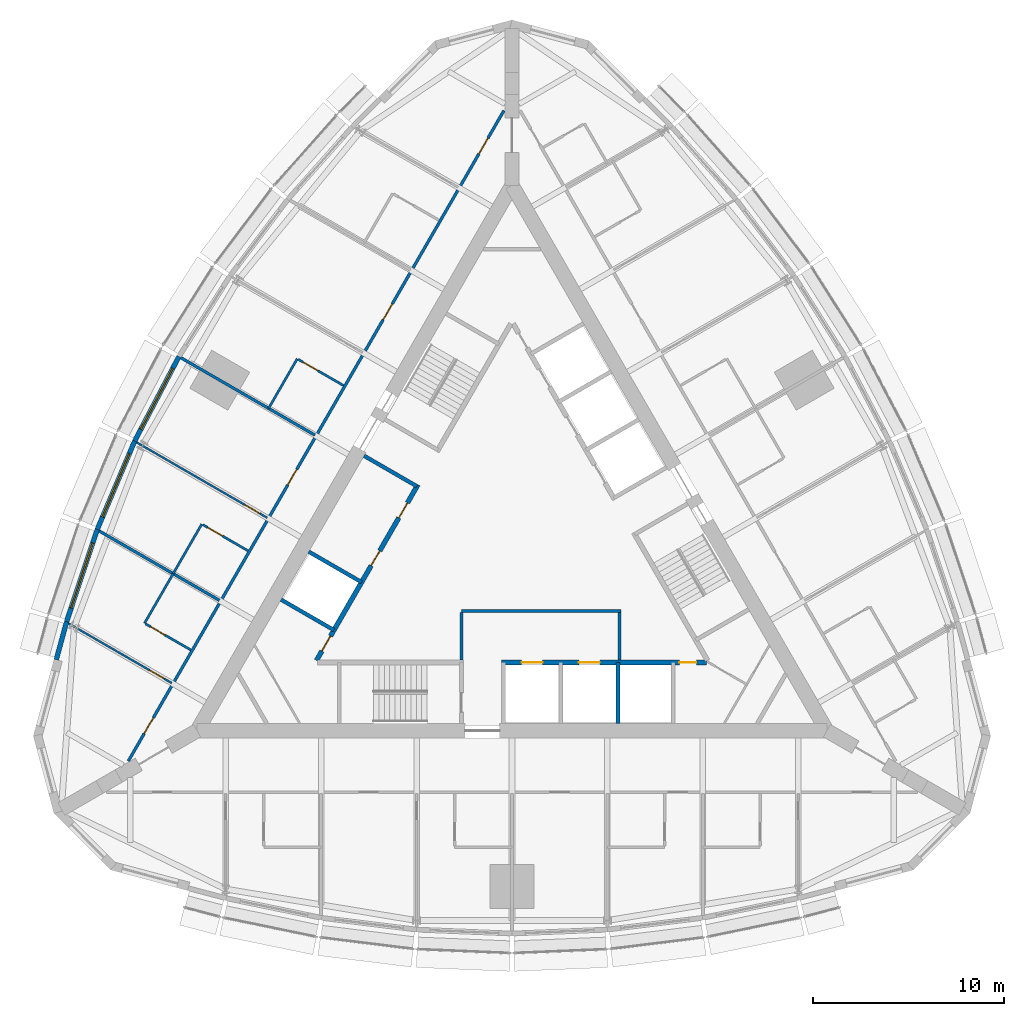
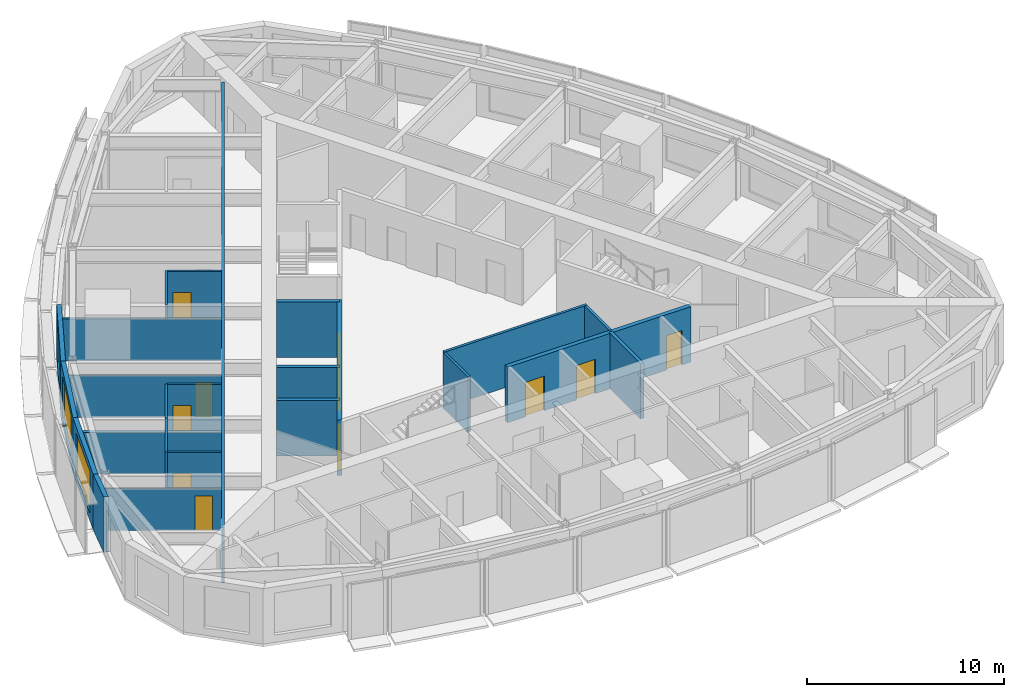
# One storey, part 10 of 15: 24 walls, 15 doors, 3 windows, 18 openings.
"""IFC4 building model written with IfcOpenShell, lengths in metres."""

from ifc_helpers import new_model, si_unit, direction, frame, frame_2d, origin, place, context, subcontext, project, spatial, rectangle, extrude, material, layer, layer_set, type_object, element, fill, save


model = new_model("IFC4")

# Units and contexts
model_context = context("Model", 3, precision=1e-05, world=origin(), true_north=direction((0.0, 1.0)))
body_context = subcontext(model_context, "Body", "Model", "MODEL_VIEW")
ifc_project = project(units=[si_unit("LENGTHUNIT", "METRE"), si_unit("AREAUNIT", "SQUARE_METRE"), si_unit("VOLUMEUNIT", "CUBIC_METRE"), si_unit("PLANEANGLEUNIT", "RADIAN"), si_unit("MASSUNIT", "GRAM", prefix="KILO")], contexts=[model_context])

# Site, building, storey
site_placement = place(None, origin())
site = spatial("IfcSite", under=ifc_project, at=site_placement, CompositionType="ELEMENT")
building_placement = place(site_placement, origin())
building = spatial("IfcBuilding", under=site, at=building_placement, Name="Trikona Tower", CompositionType="ELEMENT")
storey_placement = place(building_placement, frame((0.0, 0.0, 226.10009765625)))
storey = spatial("IfcBuildingStorey", under=building, at=storey_placement, Name="L60", CompositionType="ELEMENT", Elevation=226.10009765625)

# Wall
ifc_material_1 = material(Name="Metal stud and cement board", Category="gypsum")
ifc_layer_1 = layer(ifc_material_1, 0.1201171875)
ifc_layer_set_1 = layer_set([ifc_layer_1], Name="Bathroom wall 120")
wall_type_1 = type_object("IfcWallType", Name="Bathroom wall 120", PredefinedType="PLUMBINGWALL", material=ifc_layer_set_1)
wall_1_placement = place(storey_placement, frame((-11.25341796875, 9.961181640625, 0.0), z_axis=(0.0, 0.0, 1.0), x_axis=(-0.499990139034, -0.866031096941, 0.0)))
element("IfcWall", 1, at=wall_1_placement, inside=storey, type_object=wall_type_1, Name="Bathroom wall 6010.1", PredefinedType="PLUMBINGWALL", context=body_context, shape_type="SweptSolid", body=[
    extrude(rectangle(XDim=3.0, YDim=0.1201171875, at=frame_2d((1.5, 0.0))), origin(), (0.0, 0.0, 1.0), 3.434814453125),
])

# Wall, opening, door
wall_2_placement = place(storey_placement, frame((-8.82861328125, 8.561279296875, 0.0), z_axis=(0.0, 0.0, 1.0), x_axis=(-0.866035715982, 0.499982138324, 0.0)))
wall_2 = element("IfcWall", 2, at=wall_2_placement, inside=storey, type_object=wall_type_1, Name="Bathroom wall 6010.1", PredefinedType="PLUMBINGWALL", context=body_context, shape_type="SweptSolid", body=[
    extrude(rectangle(XDim=2.73974609375, YDim=0.1201171875, at=frame_2d((1.369873046875, 0.0))), origin(), (0.0, 0.0, 1.0), 3.434814453125),
])
opening_1_placement = place(wall_2_placement, frame((1.550048828125, 0.0, 0.0)))
opening_1 = element("IfcOpeningElement", 3, at=opening_1_placement, cuts=wall_2, Name="Opening D2", PredefinedType="OPENING", context=body_context, shape_type="SweptSolid", body=[
    extrude(rectangle(XDim=0.89990234375, YDim=2.1298828125, at=frame_2d((0.449951171875, 1.06494140625))), frame((0.0, 0.070068359375, 0.0), z_axis=(0.0, -1.0, 0.0), x_axis=(1.0, 0.0, 0.0)), (0.0, 0.0, 1.0), 0.14013671875),
])
ifc_material_2 = material(Name="Steel door frame with solid-core timber leaf", Category="steel")
door_type_1 = type_object("IfcDoorType", Name="Bathroom door 900x2130", OperationType="SLIDING_TO_LEFT", PredefinedType="DOOR", material=ifc_material_2)
door_1_placement = place(opening_1_placement, origin())
door_1 = element("IfcDoor", 4, at=door_1_placement, inside=storey, type_object=door_type_1, Name="Bathroom door 6010.1", OperationType="SLIDING_TO_LEFT", OverallHeight=2.1298828125, OverallWidth=0.89990234375, PredefinedType="DOOR", context=body_context, shape_type="SweptSolid", body=[
    extrude(rectangle(XDim=0.89990234375, YDim=2.1298828125, at=frame_2d((0.449951171875, 1.06494140625))), frame((0.0, 0.02490234375, 0.0), z_axis=(0.0, -1.0, 0.0), x_axis=(1.0, 0.0, 0.0)), (0.0, 0.0, 1.0), 0.050048828125),
])
fill(opening_1, door_1)

# Wall
wall_3_placement = place(storey_placement, frame((-16.25341796875, 1.301025390625, 0.0), z_axis=(0.0, 0.0, 1.0), x_axis=(-0.499990139034, -0.866031096941, 0.0)))
element("IfcWall", 5, at=wall_3_placement, inside=storey, type_object=wall_type_1, Name="Bathroom wall 6011.1", PredefinedType="PLUMBINGWALL", context=body_context, shape_type="SweptSolid", body=[
    extrude(rectangle(XDim=3.0, YDim=0.1201171875, at=frame_2d((1.5, 0.0))), origin(), (0.0, 0.0, 1.0), 3.434814453125),
])

# Wall, opening, door
wall_4_placement = place(storey_placement, frame((-13.82861328125, -0.09912109375, 0.0), z_axis=(0.0, 0.0, 1.0), x_axis=(-0.865997131366, 0.500048966069, 0.0)))
wall_4 = element("IfcWall", 6, at=wall_4_placement, inside=storey, type_object=wall_type_1, Name="Bathroom wall 6011.1", PredefinedType="PLUMBINGWALL", context=body_context, shape_type="SweptSolid", body=[
    extrude(rectangle(XDim=2.739990234375, YDim=0.1201171875, at=frame_2d((1.3701171875, 0.0))), origin(), (0.0, 0.0, 1.0), 3.434814453125),
])
opening_2_placement = place(wall_4_placement, frame((1.550048828125, 0.0, 0.0)))
opening_2 = element("IfcOpeningElement", 7, at=opening_2_placement, cuts=wall_4, Name="Opening D2", PredefinedType="OPENING", context=body_context, shape_type="SweptSolid", body=[
    extrude(rectangle(XDim=0.89990234375, YDim=2.1298828125, at=frame_2d((0.449951171875, 1.06494140625))), frame((0.0, 0.070068359375, 0.0), z_axis=(0.0, -1.0, 0.0), x_axis=(1.0, 0.0, 0.0)), (0.0, 0.0, 1.0), 0.14013671875),
])
door_2_placement = place(opening_2_placement, origin())
door_2 = element("IfcDoor", 8, at=door_2_placement, inside=storey, type_object=door_type_1, Name="Bathroom door 6011.1", OperationType="SLIDING_TO_LEFT", OverallHeight=2.1298828125, OverallWidth=0.89990234375, PredefinedType="DOOR", context=body_context, shape_type="SweptSolid", body=[
    extrude(rectangle(XDim=0.89990234375, YDim=2.1298828125, at=frame_2d((0.449951171875, 1.06494140625))), frame((0.0, 0.02490234375, 0.0), z_axis=(0.0, -1.0, 0.0), x_axis=(1.0, 0.0, 0.0)), (0.0, 0.0, 1.0), 0.050048828125),
])
fill(opening_2, door_2)

# Wall
wall_5_placement = place(storey_placement, frame((-17.75341796875, -1.297119140625, 0.0), z_axis=(0.0, 0.0, 1.0), x_axis=(-0.499990139034, -0.866031096941, 0.0)))
element("IfcWall", 9, at=wall_5_placement, inside=storey, type_object=wall_type_1, Name="Bathroom wall 6012.1", PredefinedType="PLUMBINGWALL", context=body_context, shape_type="SweptSolid", body=[
    extrude(rectangle(XDim=3.0, YDim=0.1201171875, at=frame_2d((1.5, 0.0))), origin(), (0.0, 0.0, 1.0), 3.434814453125),
])

# Wall, opening, door
wall_6_placement = place(storey_placement, frame((-16.82861328125, -5.295166015625, 0.0), z_axis=(0.0, 0.0, 1.0), x_axis=(-0.866035715982, 0.499982138324, 0.0)))
wall_6 = element("IfcWall", 10, at=wall_6_placement, inside=storey, type_object=wall_type_1, Name="Bathroom wall 6012.1", PredefinedType="PLUMBINGWALL", context=body_context, shape_type="SweptSolid", body=[
    extrude(rectangle(XDim=2.73974609375, YDim=0.1201171875, at=frame_2d((1.369873046875, 0.0))), origin(), (0.0, 0.0, 1.0), 3.434814453125),
])
opening_3_placement = place(wall_6_placement, frame((1.550048828125, 0.0, 0.0)))
opening_3 = element("IfcOpeningElement", 11, at=opening_3_placement, cuts=wall_6, Name="Opening D2", PredefinedType="OPENING", context=body_context, shape_type="SweptSolid", body=[
    extrude(rectangle(XDim=0.89990234375, YDim=2.1298828125, at=frame_2d((0.449951171875, 1.06494140625))), frame((0.0, 0.070068359375, 0.0), z_axis=(0.0, -1.0, 0.0), x_axis=(1.0, 0.0, 0.0)), (0.0, 0.0, 1.0), 0.14013671875),
])
door_3_placement = place(opening_3_placement, origin())
door_3 = element("IfcDoor", 12, at=door_3_placement, inside=storey, type_object=door_type_1, Name="Bathroom door 6012.1", OperationType="SLIDING_TO_LEFT", OverallHeight=2.1298828125, OverallWidth=0.89990234375, PredefinedType="DOOR", context=body_context, shape_type="SweptSolid", body=[
    extrude(rectangle(XDim=0.89990234375, YDim=2.1298828125, at=frame_2d((0.449951171875, 1.06494140625))), frame((0.0, 0.02490234375, 0.0), z_axis=(0.0, -1.0, 0.0), x_axis=(1.0, 0.0, 0.0)), (0.0, 0.0, 1.0), 0.050048828125),
])
fill(opening_3, door_3)

# Wall, openings, doors
ifc_material_3 = material(Name="Metal stud and gypsum board, 1-hour", Category="gypsum")
ifc_layer_2 = layer(ifc_material_3, 0.14990234375)
ifc_layer_set_2 = layer_set([ifc_layer_2], Name="Corridor wall 150")
wall_type_2 = type_object("IfcWallType", Name="Corridor wall 150", PredefinedType="PARTITIONING", material=ifc_layer_set_2)
wall_7_placement = place(storey_placement, frame((-0.425048828125, 22.96630859375, 0.0), z_axis=(0.0, 0.0, 1.0), x_axis=(-0.500000265775, -0.866025250339, 0.0)))
wall_7 = element("IfcWall", 13, at=wall_7_placement, inside=storey, type_object=wall_type_2, Name="Corridor wall L60-3", PredefinedType="PARTITIONING", context=body_context, shape_type="SweptSolid", body=[
    extrude(rectangle(XDim=39.35400390625, YDim=0.14990234375, at=frame_2d((19.677001953125, 0.0))), origin(), (0.0, 0.0, 1.0), 3.434814453125),
])
opening_4_placement = place(wall_7_placement, frame((1.6650390625, 0.0, 0.0)))
opening_4 = element("IfcOpeningElement", 14, at=opening_4_placement, cuts=wall_7, Name="Opening D1", PredefinedType="OPENING", context=body_context, shape_type="SweptSolid", body=[
    extrude(rectangle(XDim=0.949951171875, YDim=2.1298828125, at=frame_2d((0.47509765625, 1.06494140625))), frame((0.0, 0.0849609375, 0.0), z_axis=(0.0, -1.0, 0.0), x_axis=(1.0, 0.0, 0.0)), (0.0, 0.0, 1.0), 0.169921875),
])
opening_5_placement = place(wall_7_placement, frame((11.701904296875, 0.0, 0.0)))
opening_5 = element("IfcOpeningElement", 15, at=opening_5_placement, cuts=wall_7, Name="Opening D1", PredefinedType="OPENING", context=body_context, shape_type="SweptSolid", body=[
    extrude(rectangle(XDim=0.949951171875, YDim=2.1298828125, at=frame_2d((0.47509765625, 1.06494140625))), frame((0.0, 0.0849609375, 0.0), z_axis=(0.0, -1.0, 0.0), x_axis=(1.0, 0.0, 0.0)), (0.0, 0.0, 1.0), 0.169921875),
])
opening_6_placement = place(wall_7_placement, frame((21.701904296875, 0.0, 0.0)))
opening_6 = element("IfcOpeningElement", 16, at=opening_6_placement, cuts=wall_7, Name="Opening D1", PredefinedType="OPENING", context=body_context, shape_type="SweptSolid", body=[
    extrude(rectangle(XDim=0.949951171875, YDim=2.1298828125, at=frame_2d((0.47509765625, 1.06494140625))), frame((0.0, 0.0849609375, 0.0), z_axis=(0.0, -1.0, 0.0), x_axis=(1.0, 0.0, 0.0)), (0.0, 0.0, 1.0), 0.169921875),
])
opening_7_placement = place(wall_7_placement, frame((36.739013671875, 0.0, 0.0)))
opening_7 = element("IfcOpeningElement", 17, at=opening_7_placement, cuts=wall_7, Name="Opening D1", PredefinedType="OPENING", context=body_context, shape_type="SweptSolid", body=[
    extrude(rectangle(XDim=0.949951171875, YDim=2.1298828125, at=frame_2d((0.47509765625, 1.06494140625))), frame((0.0, 0.0849609375, 0.0), z_axis=(0.0, -1.0, 0.0), x_axis=(1.0, 0.0, 0.0)), (0.0, 0.0, 1.0), 0.169921875),
])
ifc_material_4 = material(Name="Steel door frame with solid-core timber leaf", Category="steel")
door_type_2 = type_object("IfcDoorType", Name="Guest room door 950x2130", OperationType="SINGLE_SWING_LEFT", PredefinedType="DOOR", material=ifc_material_4)
door_4_placement = place(opening_4_placement, origin())
door_4 = element("IfcDoor", 18, at=door_4_placement, inside=storey, type_object=door_type_2, Name="Room door 6009", OperationType="SINGLE_SWING_LEFT", OverallHeight=2.1298828125, OverallWidth=0.949951171875, PredefinedType="DOOR", context=body_context, shape_type="SweptSolid", body=[
    extrude(rectangle(XDim=0.949951171875, YDim=2.1298828125, at=frame_2d((0.47509765625, 1.06494140625))), frame((0.0, 0.02490234375, 0.0), z_axis=(0.0, -1.0, 0.0), x_axis=(1.0, 0.0, 0.0)), (0.0, 0.0, 1.0), 0.050048828125),
])
fill(opening_4, door_4)
door_5_placement = place(opening_5_placement, origin())
door_5 = element("IfcDoor", 19, at=door_5_placement, inside=storey, type_object=door_type_2, Name="Room door 6010", OperationType="SINGLE_SWING_RIGHT", OverallHeight=2.1298828125, OverallWidth=0.949951171875, PredefinedType="DOOR", context=body_context, shape_type="SweptSolid", body=[
    extrude(rectangle(XDim=0.949951171875, YDim=2.1298828125, at=frame_2d((0.47509765625, 1.06494140625))), frame((0.0, 0.02490234375, 0.0), z_axis=(0.0, -1.0, 0.0), x_axis=(1.0, 0.0, 0.0)), (0.0, 0.0, 1.0), 0.050048828125),
])
fill(opening_5, door_5)
door_6_placement = place(opening_6_placement, origin())
door_6 = element("IfcDoor", 20, at=door_6_placement, inside=storey, type_object=door_type_2, Name="Room door 6011", OperationType="SINGLE_SWING_LEFT", OverallHeight=2.1298828125, OverallWidth=0.949951171875, PredefinedType="DOOR", context=body_context, shape_type="SweptSolid", body=[
    extrude(rectangle(XDim=0.949951171875, YDim=2.1298828125, at=frame_2d((0.47509765625, 1.06494140625))), frame((0.0, 0.02490234375, 0.0), z_axis=(0.0, -1.0, 0.0), x_axis=(1.0, 0.0, 0.0)), (0.0, 0.0, 1.0), 0.050048828125),
])
fill(opening_6, door_6)
door_7_placement = place(opening_7_placement, origin())
door_7 = element("IfcDoor", 21, at=door_7_placement, inside=storey, type_object=door_type_2, Name="Room door 6012", OperationType="SINGLE_SWING_RIGHT", OverallHeight=2.1298828125, OverallWidth=0.949951171875, PredefinedType="DOOR", context=body_context, shape_type="SweptSolid", body=[
    extrude(rectangle(XDim=0.949951171875, YDim=2.1298828125, at=frame_2d((0.47509765625, 1.06494140625))), frame((0.0, 0.02490234375, 0.0), z_axis=(0.0, -1.0, 0.0), x_axis=(1.0, 0.0, 0.0)), (0.0, 0.0, 1.0), 0.050048828125),
])
fill(opening_7, door_7)

ifc_material_5 = material(Name="Concrete f'c 8000 psi", Category="concrete")
ifc_layer_3 = layer(ifc_material_5, 0.25)
ifc_layer_set_3 = layer_set([ifc_layer_3], Name="Hub wall 250")
wall_type_3 = type_object("IfcWallType", Name="Hub wall 250", PredefinedType="SOLIDWALL", material=ifc_layer_set_3)
wall_8_placement = place(storey_placement, frame((-0.550048828125, -5.951416015625, 0.0), z_axis=(0.0, 0.0, 1.0), x_axis=(1.0, 0.0, 0.0)))
wall_8 = element("IfcWall", 22, at=wall_8_placement, inside=storey, type_object=wall_type_3, Name="Lift lobby wall A2", PredefinedType="SOLIDWALL", context=body_context, shape_type="SweptSolid", body=[
    extrude(rectangle(XDim=10.73291015625, YDim=0.25, at=frame_2d((5.366455078125, 0.0))), origin(), (0.0, 0.0, 1.0), 3.434814453125),
])
opening_8_placement = place(wall_8_placement, frame((9.31396484375, 0.0, 0.0)))
opening_8 = element("IfcOpeningElement", 23, at=opening_8_placement, cuts=wall_8, Name="Opening D14", PredefinedType="OPENING", context=body_context, shape_type="SweptSolid", body=[
    extrude(rectangle(XDim=0.89990234375, YDim=2.1298828125, at=frame_2d((0.449951171875, 1.06494140625))), frame((0.0, 0.135009765625, 0.0), z_axis=(0.0, -1.0, 0.0), x_axis=(1.0, 0.0, 0.0)), (0.0, 0.0, 1.0), 0.27001953125),
])
opening_9_placement = place(wall_8_placement, frame((1.050048828125, 0.0, 0.0)))
opening_9 = element("IfcOpeningElement", 24, at=opening_9_placement, cuts=wall_8, Name="Opening LD", PredefinedType="OPENING", context=body_context, shape_type="SweptSolid", body=[
    extrude(rectangle(XDim=1.10009765625, YDim=2.1298828125, at=frame_2d((0.550048828125, 1.06494140625))), frame((0.0, 0.135009765625, 0.0), z_axis=(0.0, -1.0, 0.0), x_axis=(1.0, 0.0, 0.0)), (0.0, 0.0, 1.0), 0.27001953125),
])
opening_10_placement = place(wall_8_placement, frame((4.050048828125, 0.0, 0.0)))
opening_10 = element("IfcOpeningElement", 25, at=opening_10_placement, cuts=wall_8, Name="Opening LD", PredefinedType="OPENING", context=body_context, shape_type="SweptSolid", body=[
    extrude(rectangle(XDim=1.10009765625, YDim=2.1298828125, at=frame_2d((0.550048828125, 1.06494140625))), frame((0.0, 0.135009765625, 0.0), z_axis=(0.0, -1.0, 0.0), x_axis=(1.0, 0.0, 0.0)), (0.0, 0.0, 1.0), 0.27001953125),
])
ifc_material_6 = material(Name="Stainless steel lift landing door", Category="steel")
door_type_3 = type_object("IfcDoorType", Name="Lift landing door 1100x2130", OperationType="DOUBLE_DOOR_SLIDING", PredefinedType="USERDEFINED", material=ifc_material_6)
door_8_placement = place(opening_9_placement, origin())
door_8 = element("IfcDoor", 26, at=door_8_placement, inside=storey, type_object=door_type_3, Name="Lift landing door FF1", ObjectType="LIFT LANDING DOOR", OperationType="DOUBLE_DOOR_SLIDING", OverallHeight=2.1298828125, OverallWidth=1.10009765625, PredefinedType="USERDEFINED", context=body_context, shape_type="SweptSolid", body=[
    extrude(rectangle(XDim=1.10009765625, YDim=2.1298828125, at=frame_2d((0.550048828125, 1.06494140625))), frame((0.0, 0.02490234375, 0.0), z_axis=(0.0, -1.0, 0.0), x_axis=(1.0, 0.0, 0.0)), (0.0, 0.0, 1.0), 0.050048828125),
])
fill(opening_9, door_8)
door_9_placement = place(opening_10_placement, origin())
door_9 = element("IfcDoor", 27, at=door_9_placement, inside=storey, type_object=door_type_3, Name="Lift landing door FF2", ObjectType="LIFT LANDING DOOR", OperationType="DOUBLE_DOOR_SLIDING", OverallHeight=2.1298828125, OverallWidth=1.10009765625, PredefinedType="USERDEFINED", context=body_context, shape_type="SweptSolid", body=[
    extrude(rectangle(XDim=1.10009765625, YDim=2.1298828125, at=frame_2d((0.550048828125, 1.06494140625))), frame((0.0, 0.02490234375, 0.0), z_axis=(0.0, -1.0, 0.0), x_axis=(1.0, 0.0, 0.0)), (0.0, 0.0, 1.0), 0.050048828125),
])
fill(opening_10, door_9)
ifc_material_7 = material(Name="Hollow metal door and frame", Category="steel")
door_type_4 = type_object("IfcDoorType", Name="Service room door 900x2130", OperationType="SINGLE_SWING_LEFT", PredefinedType="DOOR", material=ifc_material_7)
door_10_placement = place(opening_8_placement, origin())
door_10 = element("IfcDoor", 28, at=door_10_placement, inside=storey, type_object=door_type_4, Name="Door Linen store LIN", OperationType="SINGLE_SWING_RIGHT", OverallHeight=2.1298828125, OverallWidth=0.89990234375, PredefinedType="DOOR", context=body_context, shape_type="SweptSolid", body=[
    extrude(rectangle(XDim=0.89990234375, YDim=2.1298828125, at=frame_2d((0.449951171875, 1.06494140625))), frame((0.0, 0.02490234375, 0.0), z_axis=(0.0, -1.0, 0.0), x_axis=(1.0, 0.0, 0.0)), (0.0, 0.0, 1.0), 0.050048828125),
])
fill(opening_8, door_10)

wall_9_placement = place(storey_placement, frame((-4.928955078125, 3.365478515625, 0.0), z_axis=(0.0, 0.0, 1.0), x_axis=(-0.499991433582, -0.866030349552, 0.0)))
wall_9 = element("IfcWall", 29, at=wall_9_placement, inside=storey, type_object=wall_type_3, Name="Lift lobby wall C2", PredefinedType="SOLIDWALL", context=body_context, shape_type="SweptSolid", body=[
    extrude(rectangle(XDim=10.633056640625, YDim=0.25, at=frame_2d((5.31640625, 0.0))), origin(), (0.0, 0.0, 1.0), 3.434814453125),
])
opening_11_placement = place(wall_9_placement, frame((9.1640625, 0.0, 0.0)))
opening_11 = element("IfcOpeningElement", 30, at=opening_11_placement, cuts=wall_9, Name="Opening D14", PredefinedType="OPENING", context=body_context, shape_type="SweptSolid", body=[
    extrude(rectangle(XDim=0.89990234375, YDim=2.1298828125, at=frame_2d((0.449951171875, 1.06494140625))), frame((0.0, 0.135009765625, 0.0), z_axis=(0.0, -1.0, 0.0), x_axis=(1.0, 0.0, 0.0)), (0.0, 0.0, 1.0), 0.27001953125),
])
opening_12_placement = place(wall_9_placement, frame((1.10009765625, 0.0, 0.0)))
opening_12 = element("IfcOpeningElement", 31, at=opening_12_placement, cuts=wall_9, Name="Opening D14", PredefinedType="OPENING", context=body_context, shape_type="SweptSolid", body=[
    extrude(rectangle(XDim=0.89990234375, YDim=2.1298828125, at=frame_2d((0.449951171875, 1.06494140625))), frame((0.0, 0.135009765625, 0.0), z_axis=(0.0, -1.0, 0.0), x_axis=(1.0, 0.0, 0.0)), (0.0, 0.0, 1.0), 0.27001953125),
])
opening_13_placement = place(wall_9_placement, frame((4.0, 0.0, 0.0)))
opening_13 = element("IfcOpeningElement", 32, at=opening_13_placement, cuts=wall_9, Name="Opening D14", PredefinedType="OPENING", context=body_context, shape_type="SweptSolid", body=[
    extrude(rectangle(XDim=0.89990234375, YDim=2.1298828125, at=frame_2d((0.449951171875, 1.06494140625))), frame((0.0, 0.135009765625, 0.0), z_axis=(0.0, -1.0, 0.0), x_axis=(1.0, 0.0, 0.0)), (0.0, 0.0, 1.0), 0.27001953125),
])
door_11_placement = place(opening_11_placement, origin())
door_11 = element("IfcDoor", 33, at=door_11_placement, inside=storey, type_object=door_type_4, Name="Door Ice and vending ICE", OperationType="SINGLE_SWING_RIGHT", OverallHeight=2.1298828125, OverallWidth=0.89990234375, PredefinedType="DOOR", context=body_context, shape_type="SweptSolid", body=[
    extrude(rectangle(XDim=0.89990234375, YDim=2.1298828125, at=frame_2d((0.449951171875, 1.06494140625))), frame((0.0, 0.02490234375, 0.0), z_axis=(0.0, -1.0, 0.0), x_axis=(1.0, 0.0, 0.0)), (0.0, 0.0, 1.0), 0.050048828125),
])
fill(opening_11, door_11)
door_12_placement = place(opening_12_placement, origin())
door_12 = element("IfcDoor", 34, at=door_12_placement, inside=storey, type_object=door_type_4, Name="Door Storage STO1", OperationType="SINGLE_SWING_LEFT", OverallHeight=2.1298828125, OverallWidth=0.89990234375, PredefinedType="DOOR", context=body_context, shape_type="SweptSolid", body=[
    extrude(rectangle(XDim=0.89990234375, YDim=2.1298828125, at=frame_2d((0.449951171875, 1.06494140625))), frame((0.0, 0.02490234375, 0.0), z_axis=(0.0, -1.0, 0.0), x_axis=(1.0, 0.0, 0.0)), (0.0, 0.0, 1.0), 0.050048828125),
])
fill(opening_12, door_12)
door_13_placement = place(opening_13_placement, origin())
door_13 = element("IfcDoor", 35, at=door_13_placement, inside=storey, type_object=door_type_4, Name="Door Storage STO1", OperationType="SINGLE_SWING_RIGHT", OverallHeight=2.1298828125, OverallWidth=0.89990234375, PredefinedType="DOOR", context=body_context, shape_type="SweptSolid", body=[
    extrude(rectangle(XDim=0.89990234375, YDim=2.1298828125, at=frame_2d((0.449951171875, 1.06494140625))), frame((0.0, 0.02490234375, 0.0), z_axis=(0.0, -1.0, 0.0), x_axis=(1.0, 0.0, 0.0)), (0.0, 0.0, 1.0), 0.050048828125),
])
fill(opening_13, door_13)

# Wall, opening, window
ifc_material_8 = material(Name="Insulated precast concrete spandrel panel", Category="concrete")
ifc_layer_4 = layer(ifc_material_8, 0.25)
ifc_layer_set_4 = layer_set([ifc_layer_4], Name="Inner skin wall 250")
wall_type_4 = type_object("IfcWallType", Name="Inner skin wall 250", PredefinedType="STANDARD", material=ifc_layer_set_4)
wall_10_placement = place(storey_placement, frame((-17.450439453125, 10.080810546875, 0.0), z_axis=(0.0, 0.0, 1.0), x_axis=(-0.463976002579, -0.885847768542, 0.0)))
wall_10 = element("IfcWall", 36, at=wall_10_placement, inside=storey, type_object=wall_type_4, Name="External wall L60-28", PredefinedType="STANDARD", context=body_context, shape_type="SweptSolid", body=[
    extrude(rectangle(XDim=5.004150390625, YDim=0.25, at=frame_2d((2.501953125, 0.0))), origin(), (0.0, 0.0, 1.0), 3.434814453125),
])
opening_14_placement = place(wall_10_placement, frame((0.7021484375, 0.0, 0.449951171875)))
opening_14 = element("IfcOpeningElement", 37, at=opening_14_placement, cuts=wall_10, Name="Opening W3626", PredefinedType="OPENING", context=body_context, shape_type="SweptSolid", body=[
    extrude(rectangle(XDim=3.60009765625, YDim=2.60009765625, at=frame_2d((1.800048828125, 1.300048828125))), frame((0.0, 0.135009765625, 0.0), z_axis=(0.0, -1.0, 0.0), x_axis=(1.0, 0.0, 0.0)), (0.0, 0.0, 1.0), 0.27001953125),
])
ifc_material_9 = material(Name="Aluminium-framed double glazing", Category="aluminium")
window_type = type_object("IfcWindowType", Name="Window 3600x2600", PartitioningType="SINGLE_PANEL", PredefinedType="WINDOW", material=ifc_material_9)
window_1_placement = place(opening_14_placement, origin())
window_1 = element("IfcWindow", 38, at=window_1_placement, inside=storey, type_object=window_type, Name="Window 6011", OverallHeight=2.60009765625, OverallWidth=3.60009765625, PartitioningType="SINGLE_PANEL", PredefinedType="WINDOW", context=body_context, shape_type="SweptSolid", body=[
    extrude(rectangle(XDim=3.60009765625, YDim=2.60009765625, at=frame_2d((1.800048828125, 1.300048828125))), frame((0.0, 0.030029296875, 0.0), z_axis=(0.0, -1.0, 0.0), x_axis=(1.0, 0.0, 0.0)), (0.0, 0.0, 1.0), 0.06005859375),
])
fill(opening_14, window_1)

wall_11_placement = place(storey_placement, frame((-19.767578125, 5.656982421875, 0.0), z_axis=(0.0, 0.0, 1.0), x_axis=(-0.390096809471, -0.920773848044, 0.0)))
wall_11 = element("IfcWall", 39, at=wall_11_placement, inside=storey, type_object=wall_type_4, Name="External wall L60-29", PredefinedType="STANDARD", context=body_context, shape_type="SweptSolid", body=[
    extrude(rectangle(XDim=5.0380859375, YDim=0.25, at=frame_2d((2.51904296875, 0.0))), origin(), (0.0, 0.0, 1.0), 3.434814453125),
])
opening_15_placement = place(wall_11_placement, frame((0.718994140625, 0.0, 0.449951171875)))
opening_15 = element("IfcOpeningElement", 40, at=opening_15_placement, cuts=wall_11, Name="Opening W3626", PredefinedType="OPENING", context=body_context, shape_type="SweptSolid", body=[
    extrude(rectangle(XDim=3.60009765625, YDim=2.60009765625, at=frame_2d((1.800048828125, 1.300048828125))), frame((0.0, 0.135009765625, 0.0), z_axis=(0.0, -1.0, 0.0), x_axis=(1.0, 0.0, 0.0)), (0.0, 0.0, 1.0), 0.27001953125),
])
window_2_placement = place(opening_15_placement, origin())
window_2 = element("IfcWindow", 41, at=window_2_placement, inside=storey, type_object=window_type, Name="Window 6011.1", OverallHeight=2.60009765625, OverallWidth=3.60009765625, PartitioningType="SINGLE_PANEL", PredefinedType="WINDOW", context=body_context, shape_type="SweptSolid", body=[
    extrude(rectangle(XDim=3.60009765625, YDim=2.60009765625, at=frame_2d((1.800048828125, 1.300048828125))), frame((0.0, 0.030029296875, 0.0), z_axis=(0.0, -1.0, 0.0), x_axis=(1.0, 0.0, 0.0)), (0.0, 0.0, 1.0), 0.06005859375),
])
fill(opening_15, window_2)

wall_12_placement = place(storey_placement, frame((-21.729248046875, 1.027587890625, 0.0), z_axis=(0.0, 0.0, 1.0), x_axis=(-0.315108478109, -0.949055660656, 0.0)))
wall_12 = element("IfcWall", 42, at=wall_12_placement, inside=storey, type_object=wall_type_4, Name="External wall L60-30", PredefinedType="STANDARD", context=body_context, shape_type="SweptSolid", body=[
    extrude(rectangle(XDim=5.10498046875, YDim=0.25, at=frame_2d((2.552490234375, 0.0))), origin(), (0.0, 0.0, 1.0), 3.434814453125),
])
opening_16_placement = place(wall_12_placement, frame((0.75244140625, 0.0, 0.449951171875)))
opening_16 = element("IfcOpeningElement", 43, at=opening_16_placement, cuts=wall_12, Name="Opening W3626", PredefinedType="OPENING", context=body_context, shape_type="SweptSolid", body=[
    extrude(rectangle(XDim=3.60009765625, YDim=2.60009765625, at=frame_2d((1.800048828125, 1.300048828125))), frame((0.0, 0.135009765625, 0.0), z_axis=(0.0, -1.0, 0.0), x_axis=(1.0, 0.0, 0.0)), (0.0, 0.0, 1.0), 0.27001953125),
])
window_3_placement = place(opening_16_placement, origin())
window_3 = element("IfcWindow", 44, at=window_3_placement, inside=storey, type_object=window_type, Name="Window 6012.1", OverallHeight=2.60009765625, OverallWidth=3.60009765625, PartitioningType="SINGLE_PANEL", PredefinedType="WINDOW", context=body_context, shape_type="SweptSolid", body=[
    extrude(rectangle(XDim=3.60009765625, YDim=2.60009765625, at=frame_2d((1.800048828125, 1.300048828125))), frame((0.0, 0.030029296875, 0.0), z_axis=(0.0, -1.0, 0.0), x_axis=(1.0, 0.0, 0.0)), (0.0, 0.0, 1.0), 0.06005859375),
])
fill(opening_16, window_3)

# Walls
wall_13_placement = place(storey_placement, frame((-23.335693359375, -3.810791015625, 0.0), z_axis=(0.0, 0.0, 1.0), x_axis=(-0.262867703986, -0.964831887015, 0.0)))
element("IfcWall", 45, at=wall_13_placement, inside=storey, type_object=wall_type_4, Name="External wall L60-31", PredefinedType="STANDARD", context=body_context, shape_type="SweptSolid", body=[
    extrude(rectangle(XDim=2.068359375, YDim=0.25, at=frame_2d((1.0341796875, 0.0))), origin(), (0.0, 0.0, 1.0), 3.434814453125),
])
ifc_material_10 = material(Name="Metal stud and gypsum board, 2-hour shaft wall", Category="gypsum")
ifc_layer_5 = layer(ifc_material_10, 0.14990234375)
ifc_layer_set_5 = layer_set([ifc_layer_5], Name="Lobby wall 150")
wall_type_5 = type_object("IfcWallType", Name="Lobby wall 150", PredefinedType="PARTITIONING", material=ifc_layer_set_5)
wall_14_placement = place(storey_placement, frame((-2.64990234375, -3.251220703125, 0.0), z_axis=(0.0, 0.0, 1.0), x_axis=(1.0, 0.0, 0.0)))
element("IfcWall", 46, at=wall_14_placement, inside=storey, type_object=wall_type_5, Name="Fire service lift lobby wall 1", PredefinedType="PARTITIONING", context=body_context, shape_type="SweptSolid", body=[
    extrude(rectangle(XDim=8.349853515625, YDim=0.14990234375, at=frame_2d((4.1748046875, 0.0))), origin(), (0.0, 0.0, 1.0), 3.434814453125),
])
for number, where, z_axis, x_axis, name in (
    (47, (-2.64990234375, -5.826416015625, 0.0), (0.0, 0.0, 1.0), (0.0, 1.0, 0.0), "Fire service lift lobby wall 2"),
    (48, (5.625, -5.826416015625, 0.0), (0.0, 0.0, 1.0), (0.0, 1.0, 0.0), "Fire service lift lobby wall 3"),
):
    element("IfcWall", number, at=place(storey_placement, frame(where, z_axis=z_axis, x_axis=x_axis)), inside=storey, type_object=wall_type_5, Name=name, PredefinedType="PARTITIONING", context=body_context, shape_type="SweptSolid", body=[
        extrude(rectangle(XDim=2.5, YDim=0.14990234375, at=frame_2d((1.25, 0.0))), origin(), (0.0, 0.0, 1.0), 3.434814453125),
    ])
ifc_material_11 = material(Name="Metal stud and gypsum board, 1-hour acoustic", Category="gypsum")
ifc_layer_6 = layer(ifc_material_11, 0.14990234375)
ifc_layer_set_6 = layer_set([ifc_layer_6], Name="Party wall 150")
wall_type_6 = type_object("IfcWallType", Name="Party wall 150", PredefinedType="PARTITIONING", material=ifc_layer_set_6)
wall_15_placement = place(storey_placement, frame((-10.32861328125, 5.963134765625, 0.0), z_axis=(0.0, 0.0, 1.0), x_axis=(-0.866016460812, 0.500015489362, 0.0)))
element("IfcWall", 49, at=wall_15_placement, inside=storey, type_object=wall_type_6, Name="Partition L60 F3 u0", PredefinedType="PARTITIONING", context=body_context, shape_type="SweptSolid", body=[
    extrude(rectangle(XDim=8.101318359375, YDim=0.14990234375, at=frame_2d((4.05078125, 0.0))), origin(), (0.0, 0.0, 1.0), 2.589111328125),
])
wall_16_placement = place(storey_placement, frame((-15.32861328125, -2.697021484375, 0.0), z_axis=(0.0, 0.0, 1.0), x_axis=(-0.866032413668, 0.499987858329, 0.0)))
element("IfcWall", 50, at=wall_16_placement, inside=storey, type_object=wall_type_6, Name="Partition L60 F3 u10", PredefinedType="PARTITIONING", context=body_context, shape_type="SweptSolid", body=[
    extrude(rectangle(XDim=7.272705078125, YDim=0.14990234375, at=frame_2d((3.63623046875, 0.0))), origin(), (0.0, 0.0, 1.0), 2.589111328125),
])
ifc_material_12 = material(Name="Concrete f'c 8000 psi", Category="concrete")
ifc_layer_7 = layer(ifc_material_12, 0.199951171875)
ifc_layer_set_7 = layer_set([ifc_layer_7], Name="Shaft wall 200")
wall_type_7 = type_object("IfcWallType", Name="Shaft wall 200", PredefinedType="SOLIDWALL", material=ifc_layer_set_7)
for number, where, z_axis, x_axis, name in (
    (51, (5.550048828125, -5.951416015625, 0.0), (0.0, 0.0, 1.0), (0.0, -1.0, 0.0), "Shaft wall A5"),
    (52, (-4.97900390625, 3.27880859375, 0.0), (0.0, 0.0, 1.0), (-0.866042017984, 0.499971222258, 0.0), "Shaft wall C3"),
    (53, (-7.87890625, -1.744140625, 0.0), (0.0, 0.0, 1.0), (-0.866042017984, 0.499971222258, 0.0), "Shaft wall C5"),
):
    element("IfcWall", number, at=place(storey_placement, frame(where, z_axis=z_axis, x_axis=x_axis)), inside=storey, type_object=wall_type_7, Name=name, PredefinedType="SOLIDWALL", context=body_context, shape_type="SweptSolid", body=[
        extrude(rectangle(XDim=3.199951171875, YDim=0.199951171875, at=frame_2d((1.60009765625, 0.0))), origin(), (0.0, 0.0, 1.0), 3.434814453125),
    ])
wall_17_placement = place(storey_placement, frame((-9.3291015625, -4.255615234375, 0.0), z_axis=(0.0, 0.0, 1.0), x_axis=(-0.866022944154, 0.50000426018, 0.0)))
element("IfcWall", 54, at=wall_17_placement, inside=storey, type_object=wall_type_7, Name="Shaft wall C6", PredefinedType="SOLIDWALL", context=body_context, shape_type="SweptSolid", body=[
    extrude(rectangle(XDim=3.19970703125, YDim=0.199951171875, at=frame_2d((1.599853515625, 0.0))), origin(), (0.0, 0.0, 1.0), 3.434814453125),
])

# Wall, opening, door
ifc_material_13 = material(Name="Metal stud and gypsum board, acoustic", Category="gypsum")
ifc_layer_8 = layer(ifc_material_13, 0.10009765625)
ifc_layer_set_8 = layer_set([ifc_layer_8], Name="Suite partition 100")
wall_type_8 = type_object("IfcWallType", Name="Suite partition 100", PredefinedType="PARTITIONING", material=ifc_layer_set_8)
wall_18_placement = place(storey_placement, frame((-12.82861328125, 1.633056640625, 0.0), z_axis=(0.0, 0.0, 1.0), x_axis=(-0.866030558329, 0.49999107196, 0.0)))
wall_18 = element("IfcWall", 55, at=wall_18_placement, inside=storey, type_object=wall_type_8, Name="Suite partition L60 F3 u5", PredefinedType="PARTITIONING", context=body_context, shape_type="SweptSolid", body=[
    extrude(rectangle(XDim=7.893798828125, YDim=0.10009765625, at=frame_2d((3.94677734375, 0.0))), origin(), (0.0, 0.0, 1.0), 2.589111328125),
])
opening_17_placement = place(wall_18_placement, frame((0.449951171875, 0.0, 0.0)))
opening_17 = element("IfcOpeningElement", 56, at=opening_17_placement, cuts=wall_18, Name="Opening D13", PredefinedType="OPENING", context=body_context, shape_type="SweptSolid", body=[
    extrude(rectangle(XDim=0.89990234375, YDim=2.1298828125, at=frame_2d((0.449951171875, 1.06494140625))), frame((0.0, 0.06005859375, 0.0), z_axis=(0.0, -1.0, 0.0), x_axis=(1.0, 0.0, 0.0)), (0.0, 0.0, 1.0), 0.1201171875),
])
ifc_material_14 = material(Name="Steel door frame with solid-core timber leaf", Category="steel")
door_type_5 = type_object("IfcDoorType", Name="Suite door 900x2130", OperationType="SINGLE_SWING_LEFT", PredefinedType="DOOR", material=ifc_material_14)
door_14_placement = place(opening_17_placement, origin())
door_14 = element("IfcDoor", 57, at=door_14_placement, inside=storey, type_object=door_type_5, Name="Suite door 6011", OperationType="SINGLE_SWING_LEFT", OverallHeight=2.1298828125, OverallWidth=0.89990234375, PredefinedType="DOOR", context=body_context, shape_type="SweptSolid", body=[
    extrude(rectangle(XDim=0.89990234375, YDim=2.1298828125, at=frame_2d((0.449951171875, 1.06494140625))), frame((0.0, 0.02490234375, 0.0), z_axis=(0.0, -1.0, 0.0), x_axis=(1.0, 0.0, 0.0)), (0.0, 0.0, 1.0), 0.050048828125),
])
fill(opening_17, door_14)

wall_19_placement = place(storey_placement, frame((-17.82861328125, -7.027099609375, 0.0), z_axis=(0.0, 0.0, 1.0), x_axis=(-0.866026604282, 0.499997920671, 0.0)))
wall_19 = element("IfcWall", 58, at=wall_19_placement, inside=storey, type_object=wall_type_8, Name="Suite partition L60 F3 u15", PredefinedType="PARTITIONING", context=body_context, shape_type="SweptSolid", body=[
    extrude(rectangle(XDim=6.23974609375, YDim=0.10009765625, at=frame_2d((3.119873046875, 0.0))), origin(), (0.0, 0.0, 1.0), 2.589111328125),
])
opening_18_placement = place(wall_19_placement, frame((0.449951171875, 0.0, 0.0)))
opening_18 = element("IfcOpeningElement", 59, at=opening_18_placement, cuts=wall_19, Name="Opening D13", PredefinedType="OPENING", context=body_context, shape_type="SweptSolid", body=[
    extrude(rectangle(XDim=0.89990234375, YDim=2.1298828125, at=frame_2d((0.449951171875, 1.06494140625))), frame((0.0, 0.06005859375, 0.0), z_axis=(0.0, -1.0, 0.0), x_axis=(1.0, 0.0, 0.0)), (0.0, 0.0, 1.0), 0.1201171875),
])
door_15_placement = place(opening_18_placement, origin())
door_15 = element("IfcDoor", 60, at=door_15_placement, inside=storey, type_object=door_type_5, Name="Suite door 6012", OperationType="SINGLE_SWING_LEFT", OverallHeight=2.1298828125, OverallWidth=0.89990234375, PredefinedType="DOOR", context=body_context, shape_type="SweptSolid", body=[
    extrude(rectangle(XDim=0.89990234375, YDim=2.1298828125, at=frame_2d((0.449951171875, 1.06494140625))), frame((0.0, 0.02490234375, 0.0), z_axis=(0.0, -1.0, 0.0), x_axis=(1.0, 0.0, 0.0)), (0.0, 0.0, 1.0), 0.050048828125),
])
fill(opening_18, door_15)

save(model, "model.ifc")
